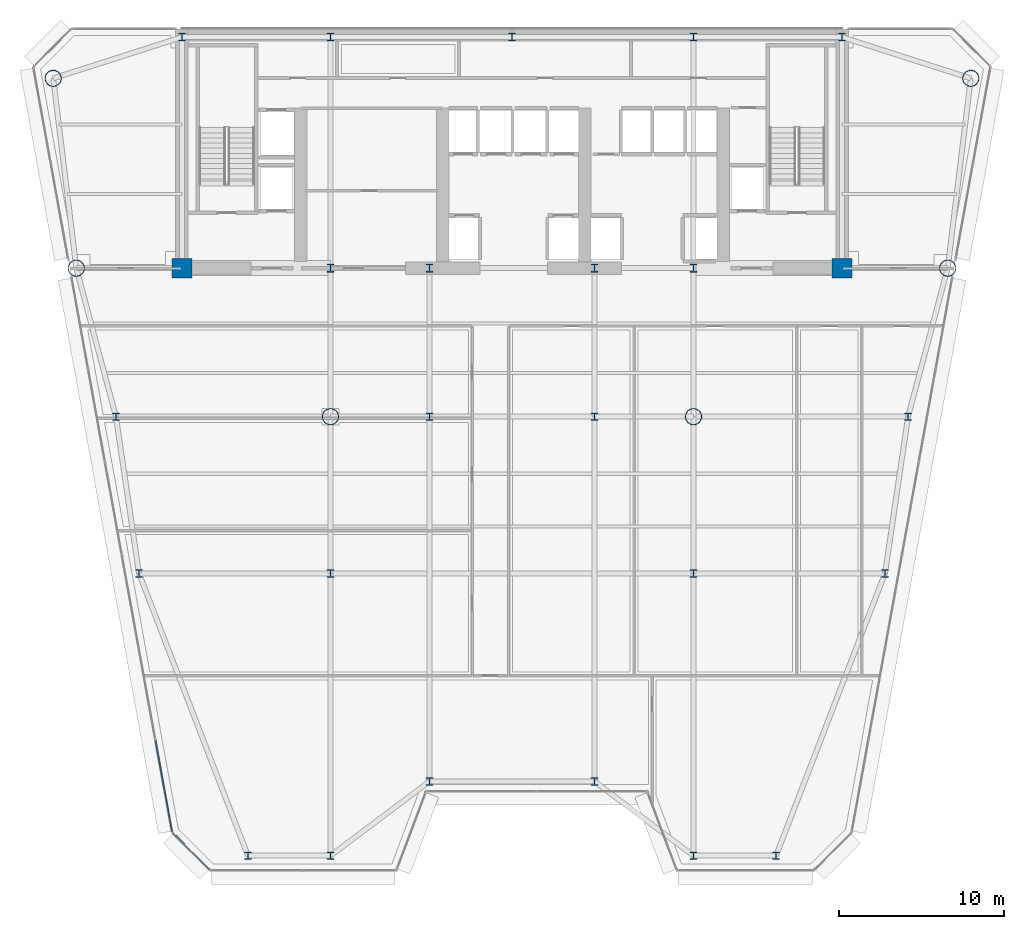
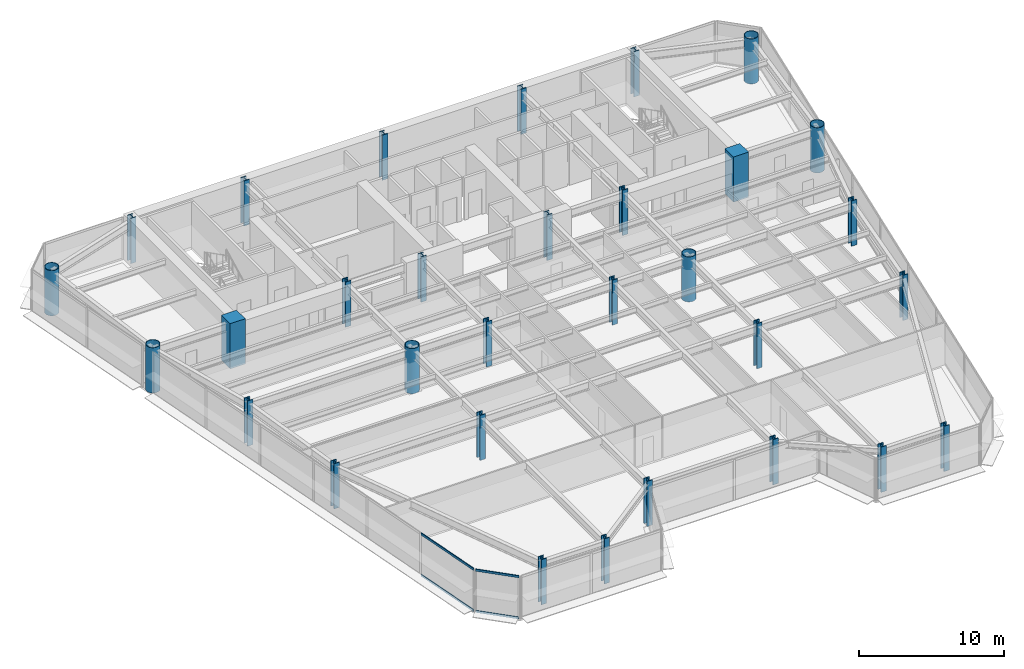
# One storey, part 1 of 14: 31 columns, 4 members, 2 elements without a shape of their own.
"""IFC4 building model written with IfcOpenShell, lengths in metres."""

from ifc_helpers import new_model, si_unit, direction, frame, origin, origin_2d, place, context, subcontext, project, spatial, rectangle, hollow_circle, i_section, extrude, source, transform, mapped, material, layer, layer_set, material_profile, profile_set, type_object, element, aggregate, save


model = new_model("IFC4")

# Units and contexts
model_context = context("Model", 3, precision=1e-05, world=origin(), true_north=direction((0.0, 1.0)))
body_context = subcontext(model_context, "Body", "Model", "MODEL_VIEW")
ifc_project = project(units=[si_unit("LENGTHUNIT", "METRE"), si_unit("AREAUNIT", "SQUARE_METRE"), si_unit("VOLUMEUNIT", "CUBIC_METRE"), si_unit("PLANEANGLEUNIT", "RADIAN"), si_unit("MASSUNIT", "GRAM", prefix="KILO")], contexts=[model_context])

# Site, building, storey
site_placement = place(None, origin())
site = spatial("IfcSite", under=ifc_project, at=site_placement, CompositionType="ELEMENT")
building_placement = place(site_placement, origin())
building = spatial("IfcBuilding", under=site, at=building_placement, Name="Vaeldorn Concourse Tower", CompositionType="ELEMENT")
storey_placement = place(building_placement, frame((0.0, 0.0, 145.199951171875)))
storey = spatial("IfcBuildingStorey", under=building, at=storey_placement, Name="L37", CompositionType="ELEMENT", Elevation=145.199951171875)

# Columns
ifc_material_1 = material(Name="Concrete C50/60", Category="concrete")
ifc_material_profile_1 = material_profile(ifc_material_1, rectangle(XDim=1.199951171875, YDim=1.199951171875, at=origin_2d()), Name="RC 1200x1200")
ifc_profile_set_1 = profile_set([ifc_material_profile_1], Name="Concrete C50/60")
column_type_1 = type_object("IfcColumnType", Name="COL-RC1200", PredefinedType="COLUMN", material=ifc_profile_set_1)
shared_shape_1 = source(origin(), body_context, "Body", "SweptSolid", [
    extrude(rectangle(XDim=1.199951171875, YDim=1.199951171875, at=origin_2d()), origin(), (0.0, 0.0, 1.0), 3.800048828125),
])
for number, where, z_axis, x_axis, name in (
    (1, (14.0, 36.5, 0.0), (0.0, 0.0, 1.0), (1.0, 0.0, 0.0), "Column C-FC1 L37"),
    (2, (54.0, 36.5, 0.0), (0.0, 0.0, 1.0), (1.0, 0.0, 0.0), "Column C-FC6 L37"),
):
    element("IfcColumn", number, at=place(storey_placement, frame(where, z_axis=z_axis, x_axis=x_axis)), inside=storey, type_object=column_type_1, Name=name, PredefinedType="COLUMN", context=body_context, shape_type="MappedRepresentation", body=[
        mapped(shared_shape_1, transform((0.0, 0.0, 0.0), scale=1.0)),
    ])
ifc_material_2 = material(Name="Steel S460", Category="steel")
ifc_material_profile_2 = material_profile(ifc_material_2, i_section(OverallWidth=0.431884765625, OverallDepth=0.498046875, WebThickness=0.054931640625, FlangeThickness=0.068115234375, FilletRadius=0.014892578125, at=origin_2d()), Name="HD 400x744")
ifc_profile_set_2 = profile_set([ifc_material_profile_2], Name="Steel S460")
column_type_2 = type_object("IfcColumnType", Name="COL-HD744", PredefinedType="COLUMN", material=ifc_profile_set_2)
shared_shape_2 = source(origin(), body_context, "Body", "SweptSolid", [
    extrude(i_section(OverallWidth=0.431884765625, OverallDepth=0.498046875, WebThickness=0.054931640625, FlangeThickness=0.068115234375, FilletRadius=0.014892578125, at=origin_2d()), origin(), (0.0, 0.0, 1.0), 3.800048828125),
])
for number, where, z_axis, x_axis, name in (
    (3, (23.0, 36.5, 0.0), (0.0, 0.0, 1.0), (1.0, 0.0, 0.0), "Column C-FC2 L37"),
    (4, (29.0, 36.5, 0.0), (0.0, 0.0, 1.0), (1.0, 0.0, 0.0), "Column C-FC3 L37"),
    (5, (39.0, 36.5, 0.0), (0.0, 0.0, 1.0), (1.0, 0.0, 0.0), "Column C-FC4 L37"),
    (6, (45.0, 36.5, 0.0), (0.0, 0.0, 1.0), (1.0, 0.0, 0.0), "Column C-FC5 L37"),
    (7, (14.0, 50.5, 0.0), (0.0, 0.0, 1.0), (1.0, 0.0, 0.0), "Column C-HC1 L37"),
    (8, (23.0, 50.5, 0.0), (0.0, 0.0, 1.0), (1.0, 0.0, 0.0), "Column C-HC2 L37"),
    (9, (34.0, 50.5, 0.0), (0.0, 0.0, 1.0), (1.0, 0.0, 0.0), "Column C-HC3 L37"),
    (10, (45.0, 50.5, 0.0), (0.0, 0.0, 1.0), (1.0, 0.0, 0.0), "Column C-HC4 L37"),
    (11, (54.0, 50.5, 0.0), (0.0, 0.0, 1.0), (1.0, 0.0, 0.0), "Column C-HC5 L37"),
):
    element("IfcColumn", number, at=place(storey_placement, frame(where, z_axis=z_axis, x_axis=x_axis)), inside=storey, type_object=column_type_2, Name=name, PredefinedType="COLUMN", context=body_context, shape_type="MappedRepresentation", body=[
        mapped(shared_shape_2, transform((0.0, 0.0, 0.0), scale=1.0)),
    ])
ifc_material_profile_3 = material_profile(ifc_material_2, hollow_circle(Radius=0.508056640625, WallThickness=0.044921875, at=origin_2d()), Name="CHS 1016x45")
ifc_profile_set_3 = profile_set([ifc_material_profile_3], Name="Steel S460")
column_type_3 = type_object("IfcColumnType", Name="COL-CHS1016", PredefinedType="COLUMN", material=ifc_profile_set_3)
shared_shape_3 = source(origin(), body_context, "Body", "SweptSolid", [
    extrude(hollow_circle(Radius=0.508056640625, WallThickness=0.044921875, at=origin_2d()), origin(), (0.0, 0.0, 1.0), 3.800048828125),
])
for number, where, z_axis, x_axis, name in (
    (12, (6.199951171875, 48.0, 0.0), (0.0, 0.0, 1.0), (1.0, 0.0, 0.0), "Column C-NW1 L37"),
    (13, (7.60009765625, 36.5, 0.0), (0.0, 0.0, 1.0), (1.0, 0.0, 0.0), "Column C-NW2 L37"),
    (14, (61.800048828125, 48.0, 0.0), (0.0, 0.0, 1.0), (1.0, 0.0, 0.0), "Column C-NE1 L37"),
    (15, (60.39990234375, 36.5, 0.0), (0.0, 0.0, 1.0), (1.0, 0.0, 0.0), "Column C-NE2 L37"),
    (16, (23.0, 27.5, 0.0), (0.0, 0.0, 1.0), (1.0, 0.0, 0.0), "Column C-TW1 L37"),
    (17, (45.0, 27.5, 0.0), (0.0, 0.0, 1.0), (1.0, 0.0, 0.0), "Column C-TW4 L37"),
):
    element("IfcColumn", number, at=place(storey_placement, frame(where, z_axis=z_axis, x_axis=x_axis)), inside=storey, type_object=column_type_3, Name=name, PredefinedType="COLUMN", context=body_context, shape_type="MappedRepresentation", body=[
        mapped(shared_shape_3, transform((0.0, 0.0, 0.0), scale=1.0)),
    ])
ifc_material_profile_4 = material_profile(ifc_material_2, i_section(OverallWidth=0.424072265625, OverallDepth=0.47412109375, WebThickness=0.047119140625, FlangeThickness=0.06494140625, FilletRadius=0.014892578125, at=origin_2d()), Name="HD 400x634")
ifc_profile_set_4 = profile_set([ifc_material_profile_4], Name="Steel S460")
column_type_4 = type_object("IfcColumnType", Name="COL-HD634F", PredefinedType="COLUMN", material=ifc_profile_set_4)
shared_shape_4 = source(origin(), body_context, "Body", "SweptSolid", [
    extrude(i_section(OverallWidth=0.424072265625, OverallDepth=0.47412109375, WebThickness=0.047119140625, FlangeThickness=0.06494140625, FilletRadius=0.014892578125, at=origin_2d()), origin(), (0.0, 0.0, 1.0), 3.800048828125),
])
for number, where, z_axis, x_axis, name in (
    (18, (10.0, 27.5, 0.0), (0.0, 0.0, 1.0), (1.0, 0.0, 0.0), "Column C-FLW1 L37"),
    (19, (11.39990234375, 18.0, 0.0), (0.0, 0.0, 1.0), (1.0, 0.0, 0.0), "Column C-FLW2 L37"),
    (20, (58.0, 27.5, 0.0), (0.0, 0.0, 1.0), (1.0, 0.0, 0.0), "Column C-FLE1 L37"),
    (21, (56.60009765625, 18.0, 0.0), (0.0, 0.0, 1.0), (1.0, 0.0, 0.0), "Column C-FLE2 L37"),
):
    element("IfcColumn", number, at=place(storey_placement, frame(where, z_axis=z_axis, x_axis=x_axis)), inside=storey, type_object=column_type_4, Name=name, PredefinedType="COLUMN", context=body_context, shape_type="MappedRepresentation", body=[
        mapped(shared_shape_4, transform((0.0, 0.0, 0.0), scale=1.0)),
    ])
ifc_material_profile_5 = material_profile(ifc_material_2, i_section(OverallWidth=0.424072265625, OverallDepth=0.47412109375, WebThickness=0.047119140625, FlangeThickness=0.06494140625, FilletRadius=0.014892578125, at=origin_2d()), Name="HD 400x634")
ifc_profile_set_5 = profile_set([ifc_material_profile_5], Name="Steel S460")
column_type_5 = type_object("IfcColumnType", Name="COL-HD634T", PredefinedType="COLUMN", material=ifc_profile_set_5)
shared_shape_5 = source(origin(), body_context, "Body", "SweptSolid", [
    extrude(i_section(OverallWidth=0.424072265625, OverallDepth=0.47412109375, WebThickness=0.047119140625, FlangeThickness=0.06494140625, FilletRadius=0.014892578125, at=origin_2d()), origin(), (0.0, 0.0, 1.0), 3.800048828125),
])
for number, where, z_axis, x_axis, name in (
    (22, (29.0, 27.5, 0.0), (0.0, 0.0, 1.0), (1.0, 0.0, 0.0), "Column C-TW2 L37"),
    (23, (39.0, 27.5, 0.0), (0.0, 0.0, 1.0), (1.0, 0.0, 0.0), "Column C-TW3 L37"),
    (24, (23.0, 18.0, 0.0), (0.0, 0.0, 1.0), (1.0, 0.0, 0.0), "Column C-TW5 L37"),
    (25, (45.0, 18.0, 0.0), (0.0, 0.0, 1.0), (1.0, 0.0, 0.0), "Column C-TW6 L37"),
    (26, (18.0, 0.89990234375, 0.0), (0.0, 0.0, 1.0), (1.0, 0.0, 0.0), "Column C-SF1 L37"),
    (27, (23.0, 0.89990234375, 0.0), (0.0, 0.0, 1.0), (1.0, 0.0, 0.0), "Column C-SF2 L37"),
    (28, (29.0, 5.39990234375, 0.0), (0.0, 0.0, 1.0), (1.0, 0.0, 0.0), "Column C-SF3 L37"),
    (29, (39.0, 5.39990234375, 0.0), (0.0, 0.0, 1.0), (1.0, 0.0, 0.0), "Column C-SF4 L37"),
    (30, (45.0, 0.89990234375, 0.0), (0.0, 0.0, 1.0), (1.0, 0.0, 0.0), "Column C-SF5 L37"),
    (31, (50.0, 0.89990234375, 0.0), (0.0, 0.0, 1.0), (1.0, 0.0, 0.0), "Column C-SF6 L37"),
):
    element("IfcColumn", number, at=place(storey_placement, frame(where, z_axis=z_axis, x_axis=x_axis)), inside=storey, type_object=column_type_5, Name=name, PredefinedType="COLUMN", context=body_context, shape_type="MappedRepresentation", body=[
        mapped(shared_shape_5, transform((0.0, 0.0, 0.0), scale=1.0)),
    ])

# Curtain wall, members
ifc_material_3 = material(Name="Anodised Bronze Aluminium", Category="aluminium")
ifc_layer = layer(ifc_material_3, 0.199951171875)
ifc_layer_set = layer_set([ifc_layer], Name="Anodised Bronze Aluminium")
curtain_wall_type = type_object("IfcCurtainWallType", Name="CW-SYS-02", PredefinedType="NOTDEFINED", material=ifc_layer_set)
curtain_wall_1_placement = place(storey_placement, origin())
curtain_wall_1 = element("IfcCurtainWall", 32, at=curtain_wall_1_placement, inside=storey, type_object=curtain_wall_type, Name="Unitised Curtain Wall CW-L37-E12-1", PredefinedType="NOTDEFINED")
ifc_material_profile_6 = material_profile(ifc_material_3, rectangle(XDim=0.074951171875, YDim=0.179931640625, at=origin_2d()), Name="CWT 75x180")
ifc_profile_set_6 = profile_set([ifc_material_profile_6], Name="Anodised Bronze Aluminium")
member_type = type_object("IfcMemberType", Name="CWT-BRONZE-180", PredefinedType="USERDEFINED", material=ifc_profile_set_6)
shared_shape_6 = source(origin(), body_context, "Body", "SweptSolid", [
    extrude(rectangle(XDim=0.074951171875, YDim=0.179931640625, at=origin_2d()), origin(), (0.0, 0.0, 1.0), 3.102783203125),
])
member_1_placement = place(storey_placement, frame((13.468017578125, 2.2470703125, 0.03759765625), z_axis=(0.707067437368, -0.707146122816, 0.0), x_axis=(0.707146122816, 0.707067437368, 0.0)))
member_1 = element("IfcMember", 33, at=member_1_placement, type_object=member_type, Name="CW-02 transom 1.1", ObjectType="TRANSOM", PredefinedType="USERDEFINED", context=body_context, shape_type="MappedRepresentation", body=[
    mapped(shared_shape_6, transform((0.0, 0.0, 0.0), scale=1.0)),
])
member_2_placement = place(storey_placement, frame((13.468017578125, 2.2470703125, 3.50244140625), z_axis=(0.707067437368, -0.707146122816, 0.0), x_axis=(0.707146122816, 0.707067437368, 0.0)))
member_2 = element("IfcMember", 34, at=member_2_placement, type_object=member_type, Name="CW-02 transom 1.2", ObjectType="TRANSOM", PredefinedType="USERDEFINED", context=body_context, shape_type="MappedRepresentation", body=[
    mapped(shared_shape_6, transform((0.0, 0.0, 0.0), scale=1.0)),
])
aggregate(curtain_wall_1, [member_1, member_2])

curtain_wall_2_placement = place(storey_placement, origin())
curtain_wall_2 = element("IfcCurtainWall", 35, at=curtain_wall_2_placement, inside=storey, type_object=curtain_wall_type, Name="Unitised Curtain Wall CW-L37-E11-2", PredefinedType="NOTDEFINED")
shared_shape_7 = source(origin(), body_context, "Body", "SweptSolid", [
    extrude(rectangle(XDim=0.074951171875, YDim=0.179931640625, at=origin_2d()), origin(), (0.0, 0.0, 1.0), 5.5927734375),
])
member_3_placement = place(storey_placement, frame((12.403564453125, 7.876708984375, 0.03759765625), z_axis=(0.178455173007, -0.983948042951, 0.0), x_axis=(0.983948042951, 0.178455173007, 0.0)))
member_3 = element("IfcMember", 36, at=member_3_placement, type_object=member_type, Name="CW-02 transom 6.1", ObjectType="TRANSOM", PredefinedType="USERDEFINED", context=body_context, shape_type="MappedRepresentation", body=[
    mapped(shared_shape_7, transform((0.0, 0.0, 0.0), scale=1.0)),
])
member_4_placement = place(storey_placement, frame((12.403564453125, 7.876708984375, 3.50244140625), z_axis=(0.178455173007, -0.983948042951, 0.0), x_axis=(0.983948042951, 0.178455173007, 0.0)))
member_4 = element("IfcMember", 37, at=member_4_placement, type_object=member_type, Name="CW-02 transom 6.2", ObjectType="TRANSOM", PredefinedType="USERDEFINED", context=body_context, shape_type="MappedRepresentation", body=[
    mapped(shared_shape_7, transform((0.0, 0.0, 0.0), scale=1.0)),
])
aggregate(curtain_wall_2, [member_3, member_4])

save(model, "model.ifc")
